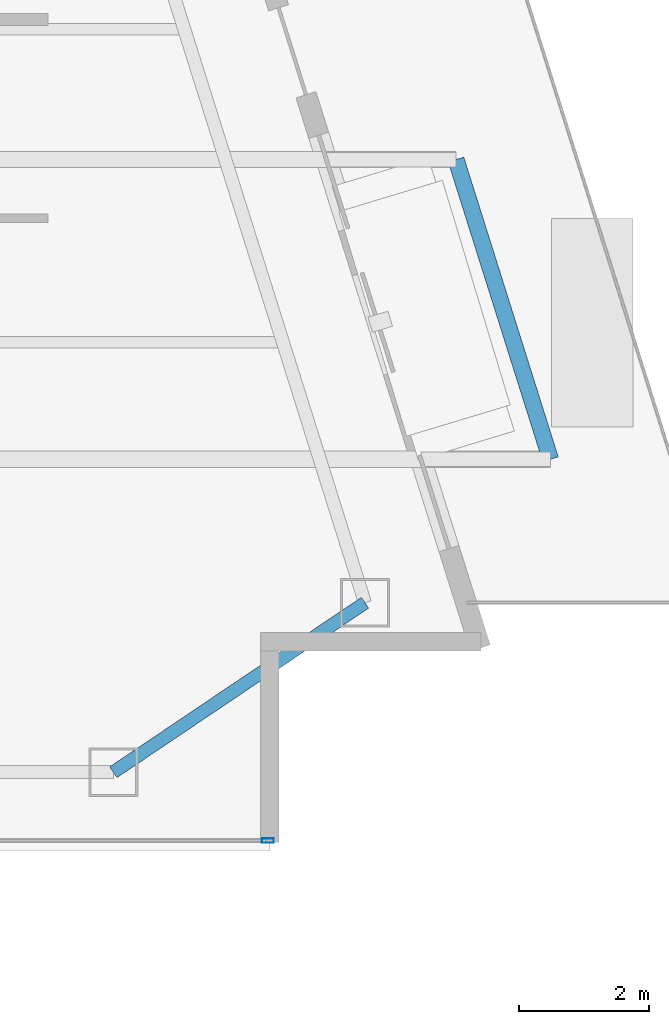
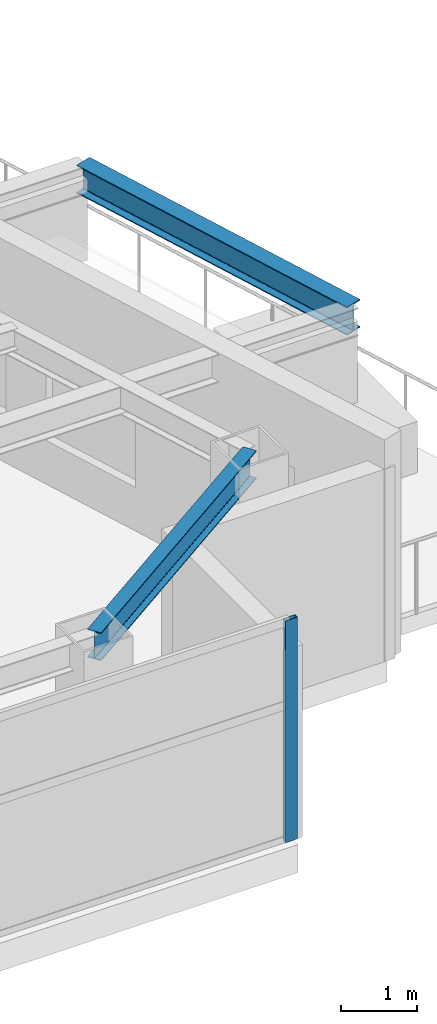
# One storey, part 15 of 30: 2 beams, 1 member, 1 element without a shape of its own.
"""IFC4 building model written with IfcOpenShell, lengths in metres."""

from ifc_helpers import new_model, si_unit, direction, frame, origin, origin_2d, place, context, subcontext, project, spatial, hollow_rectangle, i_section, extrude, material, layer, layer_set, material_profile, profile_set, type_object, element, aggregate, save


model = new_model("IFC4")

# Units and contexts
model_context = context("Model", 3, precision=1e-05, world=origin(), true_north=direction((0.0, 1.0)))
body_context = subcontext(model_context, "Body", "Model", "MODEL_VIEW")
ifc_project = project(units=[si_unit("LENGTHUNIT", "METRE"), si_unit("AREAUNIT", "SQUARE_METRE"), si_unit("VOLUMEUNIT", "CUBIC_METRE"), si_unit("PLANEANGLEUNIT", "RADIAN"), si_unit("MASSUNIT", "GRAM", prefix="KILO")], contexts=[model_context])

# Site, building, storey
site_placement = place(None, origin())
site = spatial("IfcSite", under=ifc_project, at=site_placement, CompositionType="ELEMENT")
building_placement = place(site_placement, origin())
building = spatial("IfcBuilding", under=site, at=building_placement, Name="Calvorn Quay Hotel", CompositionType="ELEMENT")
storey_placement = place(building_placement, frame((0.0, 0.0, 191.300048828125)))
storey = spatial("IfcBuildingStorey", under=building, at=storey_placement, Name="L47", CompositionType="ELEMENT", Elevation=191.300048828125)

# Beams
ifc_material_1 = material(Name="Steel Q355B", Category="steel")
ifc_material_profile_1 = material_profile(ifc_material_1, i_section(OverallWidth=0.25, OverallDepth=0.449951171875, WebThickness=0.011962890625, FlangeThickness=0.01611328125, FilletRadius=0.01611328125, at=origin_2d()), Name="HN450x250x12x16")
ifc_profile_set_1 = profile_set([ifc_material_profile_1], Name="Steel Q355B")
beam_type_1 = type_object("IfcBeamType", Name="BM-CANT-BALC", PredefinedType="BEAM", material=ifc_profile_set_1)
beam_1_placement = place(storey_placement, frame((56.10791015625, 8.39990234375, 3.31494140625), z_axis=(-0.300620172346, 0.953743944662, 0.0), x_axis=(-0.953743944662, -0.300620172346, 0.0)))
element("IfcBeam", 1, at=beam_1_placement, inside=storey, type_object=beam_type_1, Name="Beam BCBO-L48-1", PredefinedType="BEAM", context=body_context, shape_type="SweptSolid", body=[
    extrude(i_section(OverallWidth=0.25, OverallDepth=0.449951171875, WebThickness=0.011962890625, FlangeThickness=0.01611328125, FilletRadius=0.01611328125, at=origin_2d()), origin(), (0.0, 0.0, 1.0), 4.8232421875),
])
ifc_material_2 = material(Name="Steel Q355B", Category="steel")
ifc_material_profile_2 = material_profile(ifc_material_2, i_section(OverallWidth=0.199951171875, OverallDepth=0.449951171875, WebThickness=0.009033203125, FlangeThickness=0.013916015625, FilletRadius=0.01611328125, at=origin_2d()), Name="HN450x200x9x14")
ifc_profile_set_2 = profile_set([ifc_material_profile_2], Name="Steel Q355B")
beam_type_2 = type_object("IfcBeamType", Name="BM-SPANDREL-Z3", PredefinedType="SPANDREL", material=ifc_profile_set_2)
beam_2_placement = place(storey_placement, frame((49.39990234375, 3.60009765625, 3.31494140625), z_axis=(0.829483542357, 0.558531156659, 0.0), x_axis=(-0.558531156659, 0.829483542357, 0.0)))
element("IfcBeam", 2, at=beam_2_placement, inside=storey, type_object=beam_type_2, Name="Beam BSP-L47-S6", PredefinedType="SPANDREL", context=body_context, shape_type="SweptSolid", body=[
    extrude(i_section(OverallWidth=0.199951171875, OverallDepth=0.449951171875, WebThickness=0.009033203125, FlangeThickness=0.013916015625, FilletRadius=0.01611328125, at=origin_2d()), origin(), (0.0, 0.0, 1.0), 4.65478515625),
])

# Curtain wall, member
ifc_material_3 = material(Name="Champagne Bronze Anodised Aluminium and Low-E Glass", Category="aluminium")
ifc_layer = layer(ifc_material_3, 0.219970703125)
ifc_layer_set = layer_set([ifc_layer], Name="CW-SYS-Z3")
curtain_wall_type = type_object("IfcCurtainWallType", Name="CW-SYS-Z3", PredefinedType="NOTDEFINED", material=ifc_layer_set)
curtain_wall_placement = place(storey_placement, origin())
curtain_wall = element("IfcCurtainWall", 3, at=curtain_wall_placement, inside=storey, type_object=curtain_wall_type, Name="Tower South Waterfront Curtain Wall (L47)", PredefinedType="NOTDEFINED")
ifc_material_4 = material(Name="Champagne Bronze Anodised Aluminium 6063-T6", Category="aluminium")
ifc_material_profile_3 = material_profile(ifc_material_4, hollow_rectangle(XDim=0.068115234375, YDim=0.18505859375, WallThickness=0.00390625, at=origin_2d()), Name="ALU-M185x68x4")
ifc_profile_set_3 = profile_set([ifc_material_profile_3], Name="Champagne Bronze Anodised Aluminium 6063-T6")
member_type = type_object("IfcMemberType", Name="CW-SYS-Z3-MUL", PredefinedType="MULLION", material=ifc_profile_set_3)
member_placement = place(storey_placement, frame((51.77001953125, 2.550048828125, 0.0), z_axis=(0.0, 0.0, 1.0), x_axis=(0.0, 1.0, 0.0)))
member = element("IfcMember", 4, at=member_placement, type_object=member_type, Name="CW-L47-S mullion 7", PredefinedType="MULLION", context=body_context, shape_type="SweptSolid", body=[
    extrude(hollow_rectangle(XDim=0.068115234375, YDim=0.18505859375, WallThickness=0.00390625, at=origin_2d()), origin(), (0.0, 0.0, 1.0), 3.56005859375),
])
aggregate(curtain_wall, [member])

save(model, "model.ifc")
